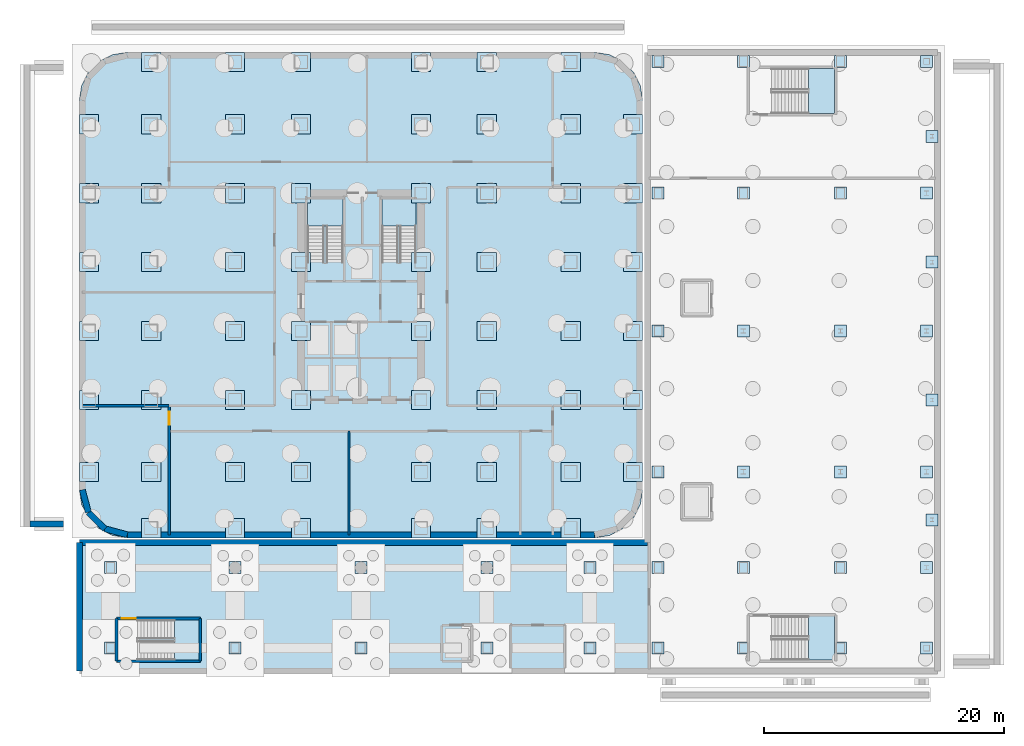
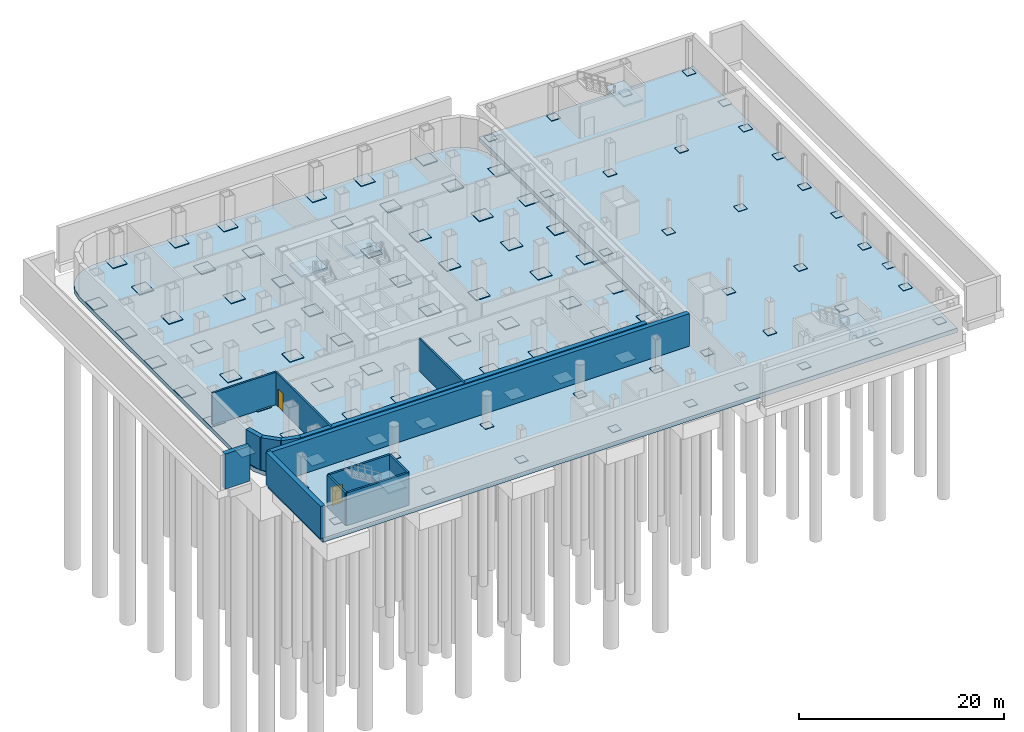
# One storey, part 6 of 16: 98 plates, 14 walls, 7 slabs, 2 doors, 2 openings, 5 elements without a shape of their own.
"""IFC4 building model written with IfcOpenShell, lengths in metres."""

from ifc_helpers import new_model, si_unit, direction, frame, frame_2d, origin, origin_2d, place, context, subcontext, project, spatial, polyline, rectangle, outline, extrude, source, transform, mapped, material, layer, layer_set, type_object, element, fill, aggregate, save


model = new_model("IFC4")

# Units and contexts
model_context = context("Model", 3, precision=1e-05, world=origin(), true_north=direction((0.0, 1.0)))
body_context = subcontext(model_context, "Body", "Model", "MODEL_VIEW")
ifc_project = project(units=[si_unit("LENGTHUNIT", "METRE"), si_unit("AREAUNIT", "SQUARE_METRE"), si_unit("VOLUMEUNIT", "CUBIC_METRE"), si_unit("PLANEANGLEUNIT", "RADIAN"), si_unit("MASSUNIT", "GRAM", prefix="KILO")], contexts=[model_context])

# Site, building, storey
site_placement = place(None, origin())
site = spatial("IfcSite", under=ifc_project, at=site_placement, CompositionType="ELEMENT")
building_placement = place(site_placement, origin())
building = spatial("IfcBuilding", under=site, at=building_placement, Name="Kolveth Station Tower", CompositionType="ELEMENT")
storey_placement = place(building_placement, frame((0.0, 0.0, -8.39990234375)))
storey = spatial("IfcBuildingStorey", under=building, at=storey_placement, Name="B2", CompositionType="ELEMENT", Elevation=-8.39990234375)

# Slabs
ifc_material_1 = material(Name="Concrete C50/60", Category="concrete")
ifc_layer_1 = layer(ifc_material_1, 0.5)
ifc_layer_set_1 = layer_set([ifc_layer_1], Name="Concrete C50/60")
slab_type_1 = type_object("IfcSlabType", Name="Slab_BS-500", PredefinedType="BASESLAB", material=ifc_layer_set_1)
slab_1_placement = place(storey_placement, frame((0.0, 0.0, -0.5)))
element("IfcSlab", 1, at=slab_1_placement, inside=storey, type_object=slab_type_1, Name="B2 Tower Structural Base Slab", PredefinedType="BASESLAB", context=body_context, shape_type="SweptSolid", body=[
    extrude(outline(polyline([(43.0, 0.0), (44.236083984375, 0.19580078125), (45.35107421875, 0.763916015625), (46.236083984375, 1.64892578125), (46.80419921875, 2.763916015625), (47.0, 4.0), (47.0, 36.5), (46.80419921875, 37.736083984375), (46.236083984375, 38.85107421875), (45.35107421875, 39.736083984375), (44.236083984375, 40.30419921875), (43.0, 40.5), (4.0, 40.5), (2.763916015625, 40.30419921875), (1.64892578125, 39.736083984375), (0.763916015625, 38.85107421875), (0.19580078125, 37.736083984375), (0.0, 36.5), (0.0, 4.0), (0.19580078125, 2.763916015625), (0.763916015625, 1.64892578125), (1.64892578125, 0.763916015625), (2.763916015625, 0.19580078125), (4.0, 0.0), (43.0, 0.0)])), origin(), (0.0, 0.0, 1.0), 0.5),
])
slab_2_placement = place(storey_placement, frame((0.0, 0.0, -0.5)))
element("IfcSlab", 2, at=slab_2_placement, inside=storey, type_object=slab_type_1, Name="B2 Station Structural Base Slab", PredefinedType="BASESLAB", context=body_context, shape_type="SweptSolid", body=[
    extrude(outline(polyline([(0.0, -11.10009765625), (71.60009765625, -11.10009765625), (71.60009765625, 40.5), (47.39990234375, 40.5), (47.39990234375, -0.39990234375), (0.0, -0.39990234375), (0.0, -11.10009765625)])), origin(), (0.0, 0.0, 1.0), 0.5),
])

# Stair, slab
ifc_material_2 = material(Name="Concrete C40/50", Category="concrete")
stair_type_1 = type_object("IfcStairType", Name="Stair_ST2", PredefinedType="HALF_TURN_STAIR", material=ifc_material_2)
stair_1_placement = place(storey_placement, origin())
stair_1 = element("IfcStair", 3, at=stair_1_placement, inside=storey, type_object=stair_type_1, Name="B2 Tower Exit Stair ST2", PredefinedType="HALF_TURN_STAIR")
ifc_layer_2 = layer(ifc_material_2, 0.18994140625)
ifc_layer_set_2 = layer_set([ifc_layer_2], Name="Concrete C40/50")
slab_type_2 = type_object("IfcSlabType", Name="Slab_SL-190", PredefinedType="LANDING", material=ifc_layer_set_2)
slab_3_placement = place(storey_placement, frame((0.0, 0.0, 1.89990234375)))
slab_3 = element("IfcSlab", 4, at=slab_3_placement, type_object=slab_type_2, Name="ST2 landing 1", PredefinedType="LANDING", context=body_context, shape_type="SweptSolid", body=[
    extrude(outline(polyline([(28.10009765625, 26.030029296875), (28.10009765625, 28.39990234375), (25.239990234375, 28.39990234375), (25.239990234375, 26.030029296875), (28.10009765625, 26.030029296875)])), origin(), (0.0, 0.0, 1.0), 0.199951171875),
])
aggregate(stair_1, [slab_3])

stair_type_2 = type_object("IfcStairType", Name="Stair_ST5", PredefinedType="HALF_TURN_STAIR", material=ifc_material_2)
stair_2_placement = place(storey_placement, origin())
stair_2 = element("IfcStair", 5, at=stair_2_placement, inside=storey, type_object=stair_type_2, Name="B2 Station West Concourse Stair ST5", PredefinedType="HALF_TURN_STAIR")
slab_4_placement = place(storey_placement, frame((0.0, 0.0, 1.89990234375)))
slab_4 = element("IfcSlab", 6, at=slab_4_placement, type_object=slab_type_2, Name="ST5 landing 1", PredefinedType="LANDING", context=body_context, shape_type="SweptSolid", body=[
    extrude(outline(polyline([(7.929931640625, -10.199951171875), (10.0, -10.199951171875), (10.0, -6.840087890625), (7.929931640625, -6.840087890625), (7.929931640625, -10.199951171875)])), origin(), (0.0, 0.0, 1.0), 0.199951171875),
])
aggregate(stair_2, [slab_4])

stair_type_3 = type_object("IfcStairType", Name="Stair_ST1", PredefinedType="HALF_TURN_STAIR", material=ifc_material_2)
stair_3_placement = place(storey_placement, origin())
stair_3 = element("IfcStair", 7, at=stair_3_placement, inside=storey, type_object=stair_type_3, Name="B2 Tower Exit Stair ST1", PredefinedType="HALF_TURN_STAIR")
ifc_layer_3 = layer(ifc_material_2, 0.205078125)
ifc_layer_set_3 = layer_set([ifc_layer_3], Name="Concrete C40/50")
slab_type_3 = type_object("IfcSlabType", Name="Slab_SL-205", PredefinedType="LANDING", material=ifc_layer_set_3)
slab_5_placement = place(storey_placement, frame((0.0, 0.0, 1.89990234375)))
slab_5 = element("IfcSlab", 8, at=slab_5_placement, type_object=slab_type_3, Name="ST1 landing 1", PredefinedType="LANDING", context=body_context, shape_type="SweptSolid", body=[
    extrude(outline(polyline([(22.0, 26.030029296875), (22.0, 28.39990234375), (19.0400390625, 28.39990234375), (19.0400390625, 26.030029296875), (22.0, 26.030029296875)])), origin(), (0.0, 0.0, 1.0), 0.199951171875),
])
aggregate(stair_3, [slab_5])

stair_type_4 = type_object("IfcStairType", Name="Stair_ST3", PredefinedType="HALF_TURN_STAIR", material=ifc_material_2)
stair_4_placement = place(storey_placement, origin())
stair_4 = element("IfcStair", 9, at=stair_4_placement, inside=storey, type_object=stair_type_4, Name="B2 Station North Exit Stair ST3", PredefinedType="HALF_TURN_STAIR")
slab_6_placement = place(storey_placement, frame((0.0, 0.0, 1.89990234375)))
slab_6 = element("IfcSlab", 10, at=slab_6_placement, type_object=slab_type_3, Name="ST3 landing 1", PredefinedType="LANDING", context=body_context, shape_type="SweptSolid", body=[
    extrude(outline(polyline([(60.830078125, 35.39990234375), (63.0, 35.39990234375), (63.0, 39.159912109375), (60.830078125, 39.159912109375), (60.830078125, 35.39990234375)])), origin(), (0.0, 0.0, 1.0), 0.199951171875),
])
aggregate(stair_4, [slab_6])

stair_type_5 = type_object("IfcStairType", Name="Stair_ST4", PredefinedType="HALF_TURN_STAIR", material=ifc_material_2)
stair_5_placement = place(storey_placement, origin())
stair_5 = element("IfcStair", 11, at=stair_5_placement, inside=storey, type_object=stair_type_5, Name="B2 Station South-East Exit Stair ST4", PredefinedType="HALF_TURN_STAIR")
slab_7_placement = place(storey_placement, frame((0.0, 0.0, 1.89990234375)))
slab_7 = element("IfcSlab", 12, at=slab_7_placement, type_object=slab_type_3, Name="ST4 landing 1", PredefinedType="LANDING", context=body_context, shape_type="SweptSolid", body=[
    extrude(outline(polyline([(60.830078125, -10.199951171875), (63.0, -10.199951171875), (63.0, -6.5400390625), (60.830078125, -6.5400390625), (60.830078125, -10.199951171875)])), origin(), (0.0, 0.0, 1.0), 0.199951171875),
])
aggregate(stair_5, [slab_7])

# Plates
ifc_material_3 = material(Name="Steel S460", Category="steel")
ifc_layer_4 = layer(ifc_material_3, 0.074951171875)
ifc_layer_set_4 = layer_set([ifc_layer_4], Name="Steel S460")
plate_type_1 = type_object("IfcPlateType", Name="Plate_BP1", PredefinedType="USERDEFINED", material=ifc_layer_set_4)
shared_shape_1 = source(origin(), body_context, "Body", "SweptSolid", [
    extrude(rectangle(XDim=1.60009765625, YDim=1.60009765625, at=origin_2d()), origin(), (0.0, 0.0, 1.0), 0.074951171875),
])
for number, where, z_axis, x_axis, name in (
    (13, (6.0, 0.800048828125, 0.0), (0.0, 0.0, 1.0), (1.0, 0.0, 0.0), "Tower Column Base Plate S-X60"),
    (14, (6.0, 39.699951171875, 0.0), (0.0, 0.0, 1.0), (1.0, 0.0, 0.0), "Tower Column Base Plate N-X60"),
    (15, (13.0, 0.800048828125, 0.0), (0.0, 0.0, 1.0), (1.0, 0.0, 0.0), "Tower Column Base Plate S-X130"),
    (16, (13.0, 39.699951171875, 0.0), (0.0, 0.0, 1.0), (1.0, 0.0, 0.0), "Tower Column Base Plate N-X130"),
    (17, (18.5, 0.800048828125, 0.0), (0.0, 0.0, 1.0), (1.0, 0.0, 0.0), "Tower Column Base Plate S-X185"),
    (18, (18.5, 39.699951171875, 0.0), (0.0, 0.0, 1.0), (1.0, 0.0, 0.0), "Tower Column Base Plate N-X185"),
    (19, (28.5, 0.800048828125, 0.0), (0.0, 0.0, 1.0), (1.0, 0.0, 0.0), "Tower Column Base Plate S-X285"),
    (20, (28.5, 39.699951171875, 0.0), (0.0, 0.0, 1.0), (1.0, 0.0, 0.0), "Tower Column Base Plate N-X285"),
    (21, (34.0, 0.800048828125, 0.0), (0.0, 0.0, 1.0), (1.0, 0.0, 0.0), "Tower Column Base Plate S-X340"),
    (22, (34.0, 39.699951171875, 0.0), (0.0, 0.0, 1.0), (1.0, 0.0, 0.0), "Tower Column Base Plate N-X340"),
    (23, (41.0, 0.800048828125, 0.0), (0.0, 0.0, 1.0), (1.0, 0.0, 0.0), "Tower Column Base Plate S-X410"),
    (24, (41.0, 39.699951171875, 0.0), (0.0, 0.0, 1.0), (1.0, 0.0, 0.0), "Tower Column Base Plate N-X410"),
    (25, (0.800048828125, 5.5, 0.0), (0.0, 0.0, 1.0), (1.0, 0.0, 0.0), "Tower Column Base Plate W-Y55"),
    (26, (46.199951171875, 5.5, 0.0), (0.0, 0.0, 1.0), (1.0, 0.0, 0.0), "Tower Column Base Plate E-Y55"),
    (27, (0.800048828125, 11.5, 0.0), (0.0, 0.0, 1.0), (1.0, 0.0, 0.0), "Tower Column Base Plate W-Y115"),
    (28, (46.199951171875, 11.5, 0.0), (0.0, 0.0, 1.0), (1.0, 0.0, 0.0), "Tower Column Base Plate E-Y115"),
    (29, (0.800048828125, 17.25, 0.0), (0.0, 0.0, 1.0), (1.0, 0.0, 0.0), "Tower Column Base Plate W-Y172"),
    (30, (46.199951171875, 17.25, 0.0), (0.0, 0.0, 1.0), (1.0, 0.0, 0.0), "Tower Column Base Plate E-Y172"),
    (31, (0.800048828125, 23.0, 0.0), (0.0, 0.0, 1.0), (1.0, 0.0, 0.0), "Tower Column Base Plate W-Y230"),
    (32, (46.199951171875, 23.0, 0.0), (0.0, 0.0, 1.0), (1.0, 0.0, 0.0), "Tower Column Base Plate E-Y230"),
    (33, (0.800048828125, 28.75, 0.0), (0.0, 0.0, 1.0), (1.0, 0.0, 0.0), "Tower Column Base Plate W-Y287"),
    (34, (46.199951171875, 28.75, 0.0), (0.0, 0.0, 1.0), (1.0, 0.0, 0.0), "Tower Column Base Plate E-Y287"),
    (35, (0.800048828125, 34.5, 0.0), (0.0, 0.0, 1.0), (1.0, 0.0, 0.0), "Tower Column Base Plate W-Y345"),
    (36, (46.199951171875, 34.5, 0.0), (0.0, 0.0, 1.0), (1.0, 0.0, 0.0), "Tower Column Base Plate E-Y345"),
    (37, (6.0, 5.5, 0.0), (0.0, 0.0, 1.0), (1.0, 0.0, 0.0), "Tower Column Base Plate G-60-55"),
    (38, (6.0, 11.5, 0.0), (0.0, 0.0, 1.0), (1.0, 0.0, 0.0), "Tower Column Base Plate G-60-115"),
    (39, (6.0, 17.25, 0.0), (0.0, 0.0, 1.0), (1.0, 0.0, 0.0), "Tower Column Base Plate G-60-172"),
    (40, (6.0, 23.0, 0.0), (0.0, 0.0, 1.0), (1.0, 0.0, 0.0), "Tower Column Base Plate G-60-230"),
    (41, (6.0, 28.75, 0.0), (0.0, 0.0, 1.0), (1.0, 0.0, 0.0), "Tower Column Base Plate G-60-287"),
    (42, (6.0, 34.5, 0.0), (0.0, 0.0, 1.0), (1.0, 0.0, 0.0), "Tower Column Base Plate G-60-345"),
    (43, (13.0, 5.5, 0.0), (0.0, 0.0, 1.0), (1.0, 0.0, 0.0), "Tower Column Base Plate G-130-55"),
    (44, (13.0, 11.5, 0.0), (0.0, 0.0, 1.0), (1.0, 0.0, 0.0), "Tower Column Base Plate G-130-115"),
    (45, (13.0, 17.25, 0.0), (0.0, 0.0, 1.0), (1.0, 0.0, 0.0), "Tower Column Base Plate G-130-172"),
    (46, (13.0, 23.0, 0.0), (0.0, 0.0, 1.0), (1.0, 0.0, 0.0), "Tower Column Base Plate G-130-230"),
    (47, (13.0, 28.75, 0.0), (0.0, 0.0, 1.0), (1.0, 0.0, 0.0), "Tower Column Base Plate G-130-287"),
    (48, (13.0, 34.5, 0.0), (0.0, 0.0, 1.0), (1.0, 0.0, 0.0), "Tower Column Base Plate G-130-345"),
    (49, (18.5, 5.5, 0.0), (0.0, 0.0, 1.0), (1.0, 0.0, 0.0), "Tower Column Base Plate G-185-55"),
    (50, (18.5, 11.5, 0.0), (0.0, 0.0, 1.0), (1.0, 0.0, 0.0), "Tower Column Base Plate G-185-115"),
    (51, (18.5, 17.25, 0.0), (0.0, 0.0, 1.0), (1.0, 0.0, 0.0), "Tower Column Base Plate G-185-172"),
    (52, (18.5, 23.0, 0.0), (0.0, 0.0, 1.0), (1.0, 0.0, 0.0), "Tower Column Base Plate G-185-230"),
    (53, (18.5, 28.75, 0.0), (0.0, 0.0, 1.0), (1.0, 0.0, 0.0), "Tower Column Base Plate G-185-287"),
    (54, (18.5, 34.5, 0.0), (0.0, 0.0, 1.0), (1.0, 0.0, 0.0), "Tower Column Base Plate G-185-345"),
    (55, (28.5, 5.5, 0.0), (0.0, 0.0, 1.0), (1.0, 0.0, 0.0), "Tower Column Base Plate G-285-55"),
    (56, (28.5, 11.5, 0.0), (0.0, 0.0, 1.0), (1.0, 0.0, 0.0), "Tower Column Base Plate G-285-115"),
    (57, (28.5, 17.25, 0.0), (0.0, 0.0, 1.0), (1.0, 0.0, 0.0), "Tower Column Base Plate G-285-172"),
    (58, (28.5, 23.0, 0.0), (0.0, 0.0, 1.0), (1.0, 0.0, 0.0), "Tower Column Base Plate G-285-230"),
    (59, (28.5, 28.75, 0.0), (0.0, 0.0, 1.0), (1.0, 0.0, 0.0), "Tower Column Base Plate G-285-287"),
    (60, (28.5, 34.5, 0.0), (0.0, 0.0, 1.0), (1.0, 0.0, 0.0), "Tower Column Base Plate G-285-345"),
    (61, (34.0, 5.5, 0.0), (0.0, 0.0, 1.0), (1.0, 0.0, 0.0), "Tower Column Base Plate G-340-55"),
    (62, (34.0, 11.5, 0.0), (0.0, 0.0, 1.0), (1.0, 0.0, 0.0), "Tower Column Base Plate G-340-115"),
    (63, (34.0, 17.25, 0.0), (0.0, 0.0, 1.0), (1.0, 0.0, 0.0), "Tower Column Base Plate G-340-172"),
    (64, (34.0, 23.0, 0.0), (0.0, 0.0, 1.0), (1.0, 0.0, 0.0), "Tower Column Base Plate G-340-230"),
    (65, (34.0, 28.75, 0.0), (0.0, 0.0, 1.0), (1.0, 0.0, 0.0), "Tower Column Base Plate G-340-287"),
    (66, (34.0, 34.5, 0.0), (0.0, 0.0, 1.0), (1.0, 0.0, 0.0), "Tower Column Base Plate G-340-345"),
    (67, (41.0, 5.5, 0.0), (0.0, 0.0, 1.0), (1.0, 0.0, 0.0), "Tower Column Base Plate G-410-55"),
    (68, (41.0, 11.5, 0.0), (0.0, 0.0, 1.0), (1.0, 0.0, 0.0), "Tower Column Base Plate G-410-115"),
    (69, (41.0, 17.25, 0.0), (0.0, 0.0, 1.0), (1.0, 0.0, 0.0), "Tower Column Base Plate G-410-172"),
    (70, (41.0, 23.0, 0.0), (0.0, 0.0, 1.0), (1.0, 0.0, 0.0), "Tower Column Base Plate G-410-230"),
    (71, (41.0, 28.75, 0.0), (0.0, 0.0, 1.0), (1.0, 0.0, 0.0), "Tower Column Base Plate G-410-287"),
    (72, (41.0, 34.5, 0.0), (0.0, 0.0, 1.0), (1.0, 0.0, 0.0), "Tower Column Base Plate G-410-345"),
):
    element("IfcPlate", number, at=place(storey_placement, frame(where, z_axis=z_axis, x_axis=x_axis)), inside=storey, type_object=plate_type_1, Name=name, ObjectType="BASE_PLATE", PredefinedType="USERDEFINED", context=body_context, shape_type="MappedRepresentation", body=[
        mapped(shared_shape_1, transform((0.0, 0.0, 0.0), x_axis=(1.0, 0.0, 0.0), y_axis=(0.0, 1.0, 0.0), z_axis=(0.0, 0.0, 1.0), scale=1.0)),
    ])
ifc_material_4 = material(Name="Steel S355", Category="steel")
ifc_layer_5 = layer(ifc_material_4, 0.050048828125)
ifc_layer_set_5 = layer_set([ifc_layer_5], Name="Steel S355")
plate_type_2 = type_object("IfcPlateType", Name="Plate_BP2", PredefinedType="USERDEFINED", material=ifc_layer_set_5)
shared_shape_2 = source(origin(), body_context, "Body", "SweptSolid", [
    extrude(rectangle(XDim=1.0, YDim=1.0, at=origin_2d()), origin(), (0.0, 0.0, 1.0), 0.050048828125),
])
for number, where, z_axis, x_axis, name in (
    (73, (2.60009765625, -9.199951171875, 0.0), (0.0, 0.0, 1.0), (1.0, 0.0, 0.0), "Station Column Base Plate SS-A1"),
    (74, (2.60009765625, -2.5, 0.0), (0.0, 0.0, 1.0), (1.0, 0.0, 0.0), "Station Column Base Plate SS-B1"),
    (75, (13.0, -9.199951171875, 0.0), (0.0, 0.0, 1.0), (1.0, 0.0, 0.0), "Station Column Base Plate SS-A2"),
    (76, (13.0, -2.5, 0.0), (0.0, 0.0, 1.0), (1.0, 0.0, 0.0), "Station Column Base Plate SS-B2"),
    (77, (23.5, -9.199951171875, 0.0), (0.0, 0.0, 1.0), (1.0, 0.0, 0.0), "Station Column Base Plate SS-A3"),
    (78, (23.5, -2.5, 0.0), (0.0, 0.0, 1.0), (1.0, 0.0, 0.0), "Station Column Base Plate SS-B3"),
    (79, (34.0, -9.199951171875, 0.0), (0.0, 0.0, 1.0), (1.0, 0.0, 0.0), "Station Column Base Plate SS-A4"),
    (80, (34.0, -2.5, 0.0), (0.0, 0.0, 1.0), (1.0, 0.0, 0.0), "Station Column Base Plate SS-B4"),
    (81, (42.60009765625, -9.199951171875, 0.0), (0.0, 0.0, 1.0), (1.0, 0.0, 0.0), "Station Column Base Plate SS-A5"),
    (82, (42.60009765625, -2.5, 0.0), (0.0, 0.0, 1.0), (1.0, 0.0, 0.0), "Station Column Base Plate SS-B5"),
    (83, (48.300048828125, -9.199951171875, 0.0), (0.0, 0.0, 1.0), (1.0, 0.0, 0.0), "Station Column Base Plate SE-1-1"),
    (84, (48.300048828125, -2.5, 0.0), (0.0, 0.0, 1.0), (1.0, 0.0, 0.0), "Station Column Base Plate SE-1-2"),
    (85, (48.300048828125, 5.5, 0.0), (0.0, 0.0, 1.0), (1.0, 0.0, 0.0), "Station Column Base Plate SE-1-3"),
    (86, (48.300048828125, 17.25, 0.0), (0.0, 0.0, 1.0), (1.0, 0.0, 0.0), "Station Column Base Plate SE-1-4"),
    (87, (48.300048828125, 28.75, 0.0), (0.0, 0.0, 1.0), (1.0, 0.0, 0.0), "Station Column Base Plate SE-1-5"),
    (88, (48.300048828125, 39.75, 0.0), (0.0, 0.0, 1.0), (1.0, 0.0, 0.0), "Station Column Base Plate SE-1-6"),
    (89, (55.39990234375, -9.199951171875, 0.0), (0.0, 0.0, 1.0), (1.0, 0.0, 0.0), "Station Column Base Plate SE-2-1"),
    (90, (55.39990234375, -2.5, 0.0), (0.0, 0.0, 1.0), (1.0, 0.0, 0.0), "Station Column Base Plate SE-2-2"),
    (91, (55.39990234375, 5.5, 0.0), (0.0, 0.0, 1.0), (1.0, 0.0, 0.0), "Station Column Base Plate SE-2-3"),
    (92, (55.39990234375, 17.25, 0.0), (0.0, 0.0, 1.0), (1.0, 0.0, 0.0), "Station Column Base Plate SE-2-4"),
    (93, (55.39990234375, 28.75, 0.0), (0.0, 0.0, 1.0), (1.0, 0.0, 0.0), "Station Column Base Plate SE-2-5"),
    (94, (55.39990234375, 39.75, 0.0), (0.0, 0.0, 1.0), (1.0, 0.0, 0.0), "Station Column Base Plate SE-2-6"),
    (95, (63.5, -9.199951171875, 0.0), (0.0, 0.0, 1.0), (1.0, 0.0, 0.0), "Station Column Base Plate SE-3-1"),
    (96, (63.5, -2.5, 0.0), (0.0, 0.0, 1.0), (1.0, 0.0, 0.0), "Station Column Base Plate SE-3-2"),
    (97, (63.5, 5.5, 0.0), (0.0, 0.0, 1.0), (1.0, 0.0, 0.0), "Station Column Base Plate SE-3-3"),
    (98, (63.5, 17.25, 0.0), (0.0, 0.0, 1.0), (1.0, 0.0, 0.0), "Station Column Base Plate SE-3-4"),
    (99, (63.5, 28.75, 0.0), (0.0, 0.0, 1.0), (1.0, 0.0, 0.0), "Station Column Base Plate SE-3-5"),
    (100, (63.5, 39.75, 0.0), (0.0, 0.0, 1.0), (1.0, 0.0, 0.0), "Station Column Base Plate SE-3-6"),
    (101, (70.699951171875, -9.199951171875, 0.0), (0.0, 0.0, 1.0), (1.0, 0.0, 0.0), "Station Column Base Plate SE-4-1"),
    (102, (70.699951171875, -2.5, 0.0), (0.0, 0.0, 1.0), (1.0, 0.0, 0.0), "Station Column Base Plate SE-4-2"),
    (103, (70.699951171875, 5.5, 0.0), (0.0, 0.0, 1.0), (1.0, 0.0, 0.0), "Station Column Base Plate SE-4-3"),
    (104, (70.699951171875, 17.25, 0.0), (0.0, 0.0, 1.0), (1.0, 0.0, 0.0), "Station Column Base Plate SE-4-4"),
    (105, (70.699951171875, 28.75, 0.0), (0.0, 0.0, 1.0), (1.0, 0.0, 0.0), "Station Column Base Plate SE-4-5"),
    (106, (70.699951171875, 39.75, 0.0), (0.0, 0.0, 1.0), (1.0, 0.0, 0.0), "Station Column Base Plate SE-4-6"),
    (107, (71.14990234375, 1.5, 0.0), (0.0, 0.0, 1.0), (1.0, 0.0, 0.0), "Station Column Base Plate SPL-1"),
    (108, (71.14990234375, 11.5, 0.0), (0.0, 0.0, 1.0), (1.0, 0.0, 0.0), "Station Column Base Plate SPL-2"),
    (109, (71.14990234375, 23.0, 0.0), (0.0, 0.0, 1.0), (1.0, 0.0, 0.0), "Station Column Base Plate SPL-3"),
    (110, (71.14990234375, 33.5, 0.0), (0.0, 0.0, 1.0), (1.0, 0.0, 0.0), "Station Column Base Plate SPL-4"),
):
    element("IfcPlate", number, at=place(storey_placement, frame(where, z_axis=z_axis, x_axis=x_axis)), inside=storey, type_object=plate_type_2, Name=name, ObjectType="BASE_PLATE", PredefinedType="USERDEFINED", context=body_context, shape_type="MappedRepresentation", body=[
        mapped(shared_shape_2, transform((0.0, 0.0, 0.0), x_axis=(1.0, 0.0, 0.0), y_axis=(0.0, 1.0, 0.0), z_axis=(0.0, 0.0, 1.0), scale=1.0)),
    ])

# Wall, opening, door
ifc_material_5 = material(Name="Acoustic fire-rated gypsum blockwork", Category="masonry")
ifc_layer_6 = layer(ifc_material_5, 0.199951171875)
ifc_layer_set_6 = layer_set([ifc_layer_6], Name="Acoustic fire-rated gypsum blockwork")
wall_type_1 = type_object("IfcWallType", Name="Wall_IW-200", PredefinedType="PARTITIONING", material=ifc_layer_set_6)
wall_1_placement = place(storey_placement, frame((7.5, 0.25, 0.0), z_axis=(0.0, 0.0, 1.0), x_axis=(0.0, 1.0, 0.0)))
wall_1 = element("IfcWall", 111, at=wall_1_placement, inside=storey, type_object=wall_type_1, Name="B2 Partition Wall WL-B2-BWS", PredefinedType="PARTITIONING", context=body_context, shape_type="SweptSolid", body=[
    extrude(rectangle(XDim=10.75, YDim=0.199951171875, at=frame_2d((5.375, 0.0))), origin(), (0.0, 0.0, 1.0), 3.8798828125),
])
opening_1_placement = place(wall_1_placement, frame((9.199951171875, 0.0, 0.0)))
opening_1 = element("IfcOpeningElement", 112, at=opening_1_placement, cuts=wall_1, Name="Opening FD2", PredefinedType="OPENING", context=body_context, shape_type="SweptSolid", body=[
    extrude(rectangle(XDim=1.050048828125, YDim=2.14990234375, at=frame_2d((0.52490234375, 1.074951171875))), frame((0.0, 0.10986328125, 0.0), z_axis=(0.0, -1.0, 0.0), x_axis=(1.0, 0.0, 0.0)), (0.0, 0.0, 1.0), 0.219970703125),
])
ifc_material_6 = material(Name="Fire-rated Steel S355 leaf and frame", Category="steel")
door_type_1 = type_object("IfcDoorType", Name="Door_FD2", OperationType="NOTDEFINED", PredefinedType="DOOR", material=ifc_material_6)
door_1_placement = place(opening_1_placement, frame((1.050048828125, 0.0, 0.0), z_axis=(0.0, 0.0, 1.0), x_axis=(-1.0, 0.0, 0.0)))
door_1 = element("IfcDoor", 113, at=door_1_placement, inside=storey, type_object=door_type_1, Name="B2 Auxiliary MEP Plant Room CSW Door", OperationType="SINGLE_SWING_LEFT", OverallHeight=2.14990234375, OverallWidth=1.050048828125, PredefinedType="DOOR", context=body_context, shape_type="SweptSolid", body=[
    extrude(rectangle(XDim=1.050048828125, YDim=2.14990234375, at=frame_2d((0.52490234375, 1.074951171875))), frame((0.0, 0.02490234375, 0.0), z_axis=(0.0, -1.0, 0.0), x_axis=(1.0, 0.0, 0.0)), (0.0, 0.0, 1.0), 0.050048828125),
])
fill(opening_1, door_1)

# Walls
wall_2_placement = place(storey_placement, frame((0.25, 11.0, 0.0), z_axis=(0.0, 0.0, 1.0), x_axis=(1.0, 0.0, 0.0)))
element("IfcWall", 114, at=wall_2_placement, inside=storey, type_object=wall_type_1, Name="B2 Partition Wall WL-B2-BWM1", PredefinedType="PARTITIONING", context=body_context, shape_type="SweptSolid", body=[
    extrude(rectangle(XDim=7.25, YDim=0.199951171875, at=frame_2d((3.625, 0.0))), origin(), (0.0, 0.0, 1.0), 3.8798828125),
])
wall_3_placement = place(storey_placement, frame((22.5, 0.25, 0.0), z_axis=(0.0, 0.0, 1.0), x_axis=(0.0, 1.0, 0.0)))
element("IfcWall", 115, at=wall_3_placement, inside=storey, type_object=wall_type_1, Name="B2 Partition Wall WL-B2-TBS-P1", PredefinedType="PARTITIONING", context=body_context, shape_type="SweptSolid", body=[
    extrude(rectangle(XDim=8.64990234375, YDim=0.199951171875, at=frame_2d((4.324951171875, 0.0))), origin(), (0.0, 0.0, 1.0), 3.8798828125),
])
ifc_layer_7 = layer(ifc_material_2, 0.219970703125)
ifc_layer_set_7 = layer_set([ifc_layer_7], Name="Concrete C40/50")
wall_type_2 = type_object("IfcWallType", Name="Wall_IW-220", PredefinedType="SOLIDWALL", material=ifc_layer_set_7)
wall_4_placement = place(storey_placement, frame((3.10009765625, -10.300048828125, 0.0), z_axis=(0.0, 0.0, 1.0), x_axis=(1.0, 0.0, 0.0)))
element("IfcWall", 116, at=wall_4_placement, inside=storey, type_object=wall_type_2, Name="B2 Stair Shaft Wall WL-B2-ST5-S", PredefinedType="SOLIDWALL", context=body_context, shape_type="SweptSolid", body=[
    extrude(rectangle(XDim=7.0, YDim=0.219970703125, at=frame_2d((3.5, 0.0))), origin(), (0.0, 0.0, 1.0), 3.8798828125),
])

# Wall, opening, door
wall_5_placement = place(storey_placement, frame((3.10009765625, -6.739990234375, 0.0), z_axis=(0.0, 0.0, 1.0), x_axis=(1.0, 0.0, 0.0)))
wall_5 = element("IfcWall", 117, at=wall_5_placement, inside=storey, type_object=wall_type_2, Name="B2 Stair Shaft Wall WL-B2-ST5-N", PredefinedType="SOLIDWALL", context=body_context, shape_type="SweptSolid", body=[
    extrude(rectangle(XDim=7.0, YDim=0.219970703125, at=frame_2d((3.5, 0.0))), origin(), (0.0, 0.0, 1.0), 3.8798828125),
])
opening_2_placement = place(wall_5_placement, frame((0.449951171875, 0.0, 0.0)))
opening_2 = element("IfcOpeningElement", 118, at=opening_2_placement, cuts=wall_5, Name="Opening FD1", PredefinedType="OPENING", context=body_context, shape_type="SweptSolid", body=[
    extrude(rectangle(XDim=1.14990234375, YDim=2.199951171875, at=frame_2d((0.574951171875, 1.10009765625))), frame((0.0, 0.119873046875, 0.0), z_axis=(0.0, -1.0, 0.0), x_axis=(1.0, 0.0, 0.0)), (0.0, 0.0, 1.0), 0.239990234375),
])
door_type_2 = type_object("IfcDoorType", Name="Door_FD1", OperationType="NOTDEFINED", PredefinedType="DOOR", material=ifc_material_6)
door_2_placement = place(opening_2_placement, origin())
door_2 = element("IfcDoor", 119, at=door_2_placement, inside=storey, type_object=door_type_2, Name="B2 Station Stair ST5 Door", OperationType="SINGLE_SWING_LEFT", OverallHeight=2.199951171875, OverallWidth=1.14990234375, PredefinedType="DOOR", context=body_context, shape_type="SweptSolid", body=[
    extrude(rectangle(XDim=1.14990234375, YDim=2.199951171875, at=frame_2d((0.574951171875, 1.10009765625))), frame((0.0, 0.02490234375, 0.0), z_axis=(0.0, -1.0, 0.0), x_axis=(1.0, 0.0, 0.0)), (0.0, 0.0, 1.0), 0.050048828125),
])
fill(opening_2, door_2)

# Walls
for number, where, z_axis, x_axis, name in (
    (120, (3.10009765625, -10.300048828125, 0.0), (0.0, 0.0, 1.0), (0.0, 1.0, 0.0), "B2 Stair Shaft Wall WL-B2-ST5-W"),
    (121, (10.10009765625, -10.300048828125, 0.0), (0.0, 0.0, 1.0), (0.0, 1.0, 0.0), "B2 Stair Shaft Wall WL-B2-ST5-E"),
):
    element("IfcWall", number, at=place(storey_placement, frame(where, z_axis=z_axis, x_axis=x_axis)), inside=storey, type_object=wall_type_2, Name=name, PredefinedType="SOLIDWALL", context=body_context, shape_type="SweptSolid", body=[
        extrude(rectangle(XDim=3.56005859375, YDim=0.219970703125, at=frame_2d((1.780029296875, 0.0))), origin(), (0.0, 0.0, 1.0), 3.8798828125),
    ])
ifc_layer_8 = layer(ifc_material_1, 0.5)
ifc_layer_set_8 = layer_set([ifc_layer_8], Name="Concrete C50/60")
wall_type_3 = type_object("IfcWallType", Name="Wall_RW-500", PredefinedType="USERDEFINED", material=ifc_layer_set_8)
for number, where, z_axis, x_axis, name in (
    (122, (0.25, 4.0, 0.0), (0.0, 0.0, 1.0), (0.258836670666, -0.965921103361, 0.0), "B2 Tower Basement Retaining Wall 13"),
    (123, (0.75244140625, 2.125, 0.0), (0.0, 0.0, 1.0), (0.707106781187, -0.707106781187, 0.0), "B2 Tower Basement Retaining Wall 14"),
    (124, (2.125, 0.75244140625, 0.0), (0.0, 0.0, 1.0), (0.965921103361, -0.258836670666, 0.0), "B2 Tower Basement Retaining Wall 15"),
):
    element("IfcWall", number, at=place(storey_placement, frame(where, z_axis=z_axis, x_axis=x_axis)), inside=storey, type_object=wall_type_3, Name=name, ObjectType="RETAININGWALL", PredefinedType="USERDEFINED", context=body_context, shape_type="SweptSolid", body=[
        extrude(rectangle(XDim=1.941162109375, YDim=0.5, at=frame_2d((0.970703125, 0.0))), origin(), (0.0, 0.0, 1.0), 3.8798828125),
    ])
wall_6_placement = place(storey_placement, frame((4.0, 0.25, 0.0), z_axis=(0.0, 0.0, 1.0), x_axis=(1.0, 0.0, 0.0)))
element("IfcWall", 125, at=wall_6_placement, inside=storey, type_object=wall_type_3, Name="B2 Tower Basement Retaining Wall 16", ObjectType="RETAININGWALL", PredefinedType="USERDEFINED", context=body_context, shape_type="SweptSolid", body=[
    extrude(rectangle(XDim=39.0, YDim=0.5, at=frame_2d((19.5, 0.0))), origin(), (0.0, 0.0, 1.0), 3.8798828125),
])
wall_7_placement = place(storey_placement, frame((47.39990234375, -0.39990234375, 0.0), z_axis=(0.0, 0.0, 1.0), x_axis=(-1.0, 0.0, 0.0)))
element("IfcWall", 126, at=wall_7_placement, inside=storey, type_object=wall_type_3, Name="B2 Station Basement Retaining Wall 5", ObjectType="RETAININGWALL", PredefinedType="USERDEFINED", context=body_context, shape_type="SweptSolid", body=[
    extrude(rectangle(XDim=47.39990234375, YDim=0.5, at=frame_2d((23.699951171875, 0.0))), origin(), (0.0, 0.0, 1.0), 3.8798828125),
])
wall_8_placement = place(storey_placement, frame((0.0, -0.39990234375, 0.0), z_axis=(0.0, 0.0, 1.0), x_axis=(0.0, -1.0, 0.0)))
element("IfcWall", 127, at=wall_8_placement, inside=storey, type_object=wall_type_3, Name="B2 Station Basement Retaining Wall 6", ObjectType="RETAININGWALL", PredefinedType="USERDEFINED", context=body_context, shape_type="SweptSolid", body=[
    extrude(rectangle(XDim=10.7001953125, YDim=0.5, at=frame_2d((5.35009765625, 0.0))), origin(), (0.0, 0.0, 1.0), 3.8798828125),
])
wall_9_placement = place(storey_placement, frame((-4.10009765625, 1.14990234375, 0.0), z_axis=(0.0, 0.0, 1.0), x_axis=(1.0, 0.0, 0.0)))
element("IfcWall", 128, at=wall_9_placement, inside=storey, type_object=wall_type_3, Name="B2 Forecourt Retaining Wall 2", ObjectType="RETAININGWALL", PredefinedType="USERDEFINED", context=body_context, shape_type="SweptSolid", body=[
    extrude(rectangle(XDim=2.800048828125, YDim=0.5, at=frame_2d((1.39990234375, 0.0))), origin(), (0.0, 0.0, 1.0), 4.199951171875),
])

save(model, "model.ifc")
